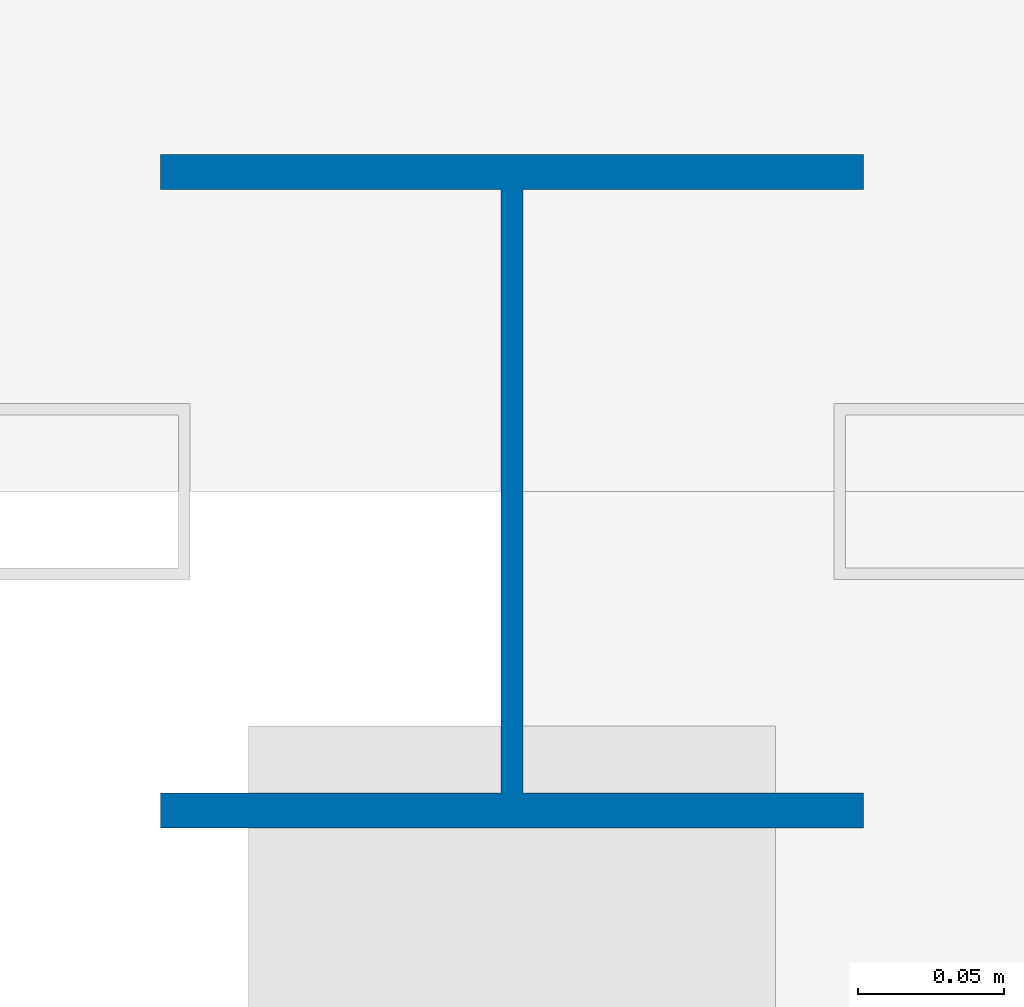
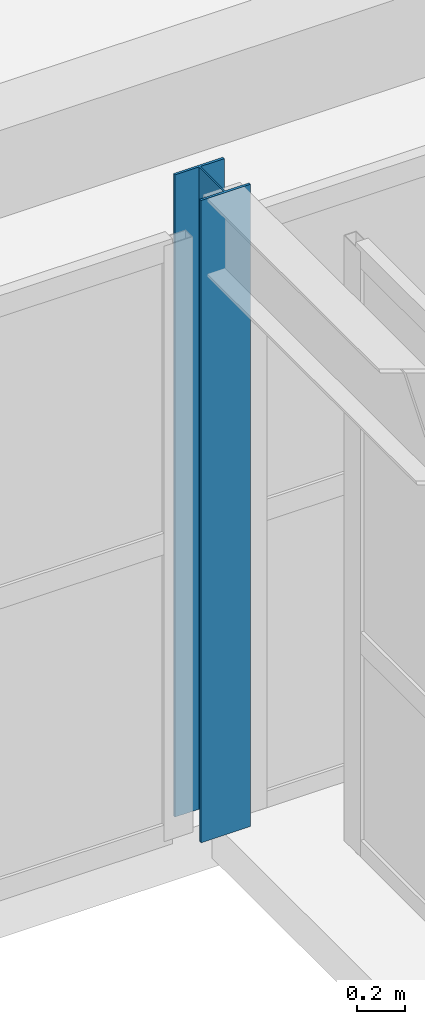
# One storey, part 2 of 200: 1 column.
"""IFC4 building model written with IfcOpenShell, lengths in metres."""

from ifc_helpers import new_model, si_unit, direction, frame, origin, origin_2d, place, context, subcontext, project, spatial, i_section, extrude, material, material_profile, profile_set, type_object, element, save


model = new_model("IFC4")

# Units and contexts
model_context = context("Model", 3, precision=1e-05, world=origin(), true_north=direction((0.0, 1.0)))
body_context = subcontext(model_context, "Body", "Model", "MODEL_VIEW")
ifc_project = project(units=[si_unit("LENGTHUNIT", "METRE"), si_unit("AREAUNIT", "SQUARE_METRE"), si_unit("VOLUMEUNIT", "CUBIC_METRE"), si_unit("PLANEANGLEUNIT", "RADIAN"), si_unit("MASSUNIT", "GRAM", prefix="KILO")], contexts=[model_context])

# Site, building, storey
site_placement = place(None, origin())
site = spatial("IfcSite", under=ifc_project, at=site_placement, CompositionType="ELEMENT")
building_placement = place(site_placement, origin())
building = spatial("IfcBuilding", under=site, at=building_placement, Name="Trelvath General Hospital", CompositionType="ELEMENT")
storey_placement = place(building_placement, frame((0.0, 0.0, 4.800048828125)))
storey = spatial("IfcBuildingStorey", under=building, at=storey_placement, Name="L01", CompositionType="ELEMENT", Elevation=4.800048828125)

# Column
ifc_material = material(Name="Steel S355", Category="steel")
ifc_material_profile = material_profile(ifc_material, i_section(OverallWidth=0.239990234375, OverallDepth=0.22998046875, WebThickness=0.007568359375, FlangeThickness=0.011962890625, at=origin_2d()), Name="HEA240")
ifc_profile_set = profile_set([ifc_material_profile], Name="Steel S355")
column_type = type_object("IfcColumnType", Name="BridgeColumn HEA240", PredefinedType="COLUMN", material=ifc_profile_set)
column_placement = place(storey_placement, frame((58.800048828125, 30.800048828125, 0.0), z_axis=(0.0, 0.0, 1.0), x_axis=(1.0, 0.0, 0.0)))
element("IfcColumn", 1, at=column_placement, inside=storey, type_object=column_type, Name="Bridge Portal Column BC-01 L01", PredefinedType="COLUMN", context=body_context, shape_type="SweptSolid", body=[
    extrude(i_section(OverallWidth=0.239990234375, OverallDepth=0.22998046875, WebThickness=0.007568359375, FlangeThickness=0.011962890625, at=origin_2d()), origin(), (0.0, 0.0, 1.0), 3.300048828125),
])

save(model, "model.ifc")
